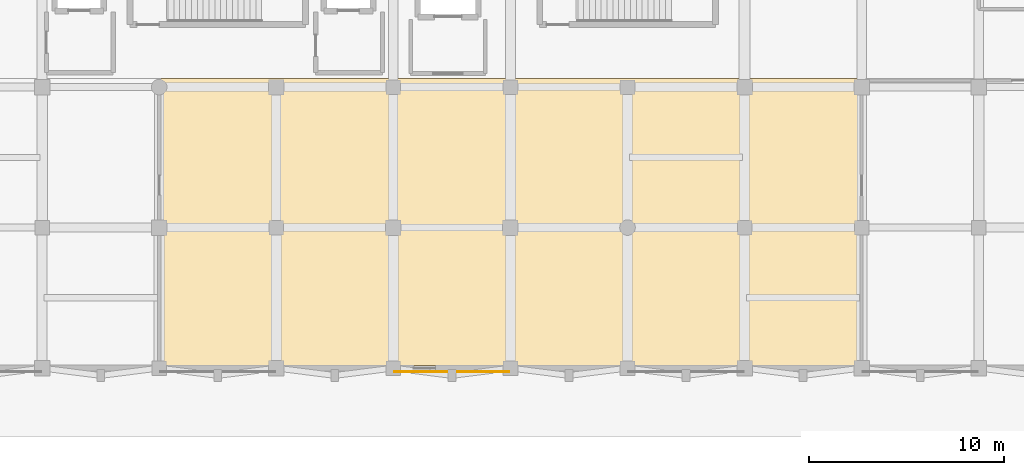
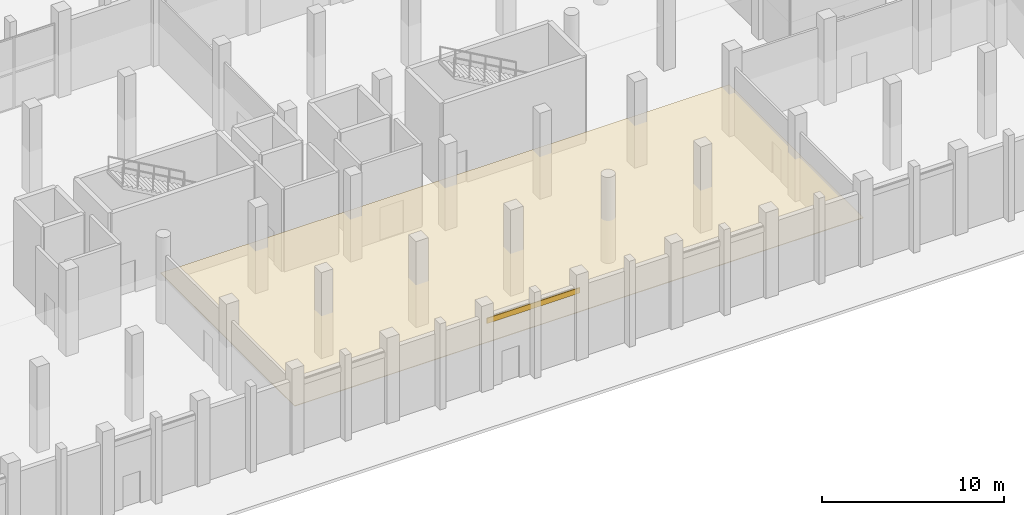
# One storey, part 89 of 103: 2 coverings.
"""IFC4 building model written with IfcOpenShell, lengths in metres."""

from ifc_helpers import new_model, si_unit, direction, frame, origin, origin_2d, place, context, subcontext, project, spatial, polyline, rectangle, outline, extrude, material, layer, layer_set, type_object, element, save


model = new_model("IFC4")

# Units and contexts
model_context = context("Model", 3, precision=1e-05, world=origin(), true_north=direction((0.0, 1.0)))
body_context = subcontext(model_context, "Body", "Model", "MODEL_VIEW")
ifc_project = project(units=[si_unit("LENGTHUNIT", "METRE"), si_unit("AREAUNIT", "SQUARE_METRE"), si_unit("VOLUMEUNIT", "CUBIC_METRE"), si_unit("PLANEANGLEUNIT", "RADIAN"), si_unit("MASSUNIT", "GRAM", prefix="KILO")], contexts=[model_context])

# Site, building, storey
site_placement = place(None, origin())
site = spatial("IfcSite", under=ifc_project, at=site_placement, CompositionType="ELEMENT")
building_placement = place(site_placement, origin())
building = spatial("IfcBuilding", under=site, at=building_placement, Name="Dunvalen Ferry Terminal", CompositionType="ELEMENT")
storey_placement = place(building_placement, origin())
storey = spatial("IfcBuildingStorey", under=building, at=storey_placement, Name="L00", CompositionType="ELEMENT", Elevation=0.0)

# Coverings
ifc_material_1 = material(Name="Anodised marine aluminium fascia cladding", Category="aluminium")
ifc_layer_1 = layer(ifc_material_1, 0.050048828125, Name="Anodised marine aluminium fascia cladding")
ifc_layer_set_1 = layer_set([ifc_layer_1], Name="Anodised marine aluminium fascia cladding")
covering_type_1 = type_object("IfcCoveringType", Name="ENV-COV-CLD01", PredefinedType="CLADDING", material=ifc_layer_set_1)
covering_1_placement = place(storey_placement, frame((57.0, -0.18408203125, 4.35986328125), z_axis=(0.0, 0.0, 1.0), x_axis=(1.0, 0.0, 0.0)))
element("IfcCovering", 1, at=covering_1_placement, inside=storey, type_object=covering_type_1, Name="L00 Streamline Speed-Line Fascia Band 005", PredefinedType="CLADDING", context=body_context, shape_type="SweptSolid", body=[
    extrude(rectangle(XDim=5.89990234375, YDim=0.050048828125, at=origin_2d()), origin(), (0.0, 0.0, 1.0), 0.360107421875),
])
ifc_material_2 = material(Name="Perforated marine aluminium acoustic baffle ceiling", Category="aluminium")
ifc_layer_2 = layer(ifc_material_2, 0.0400390625, Name="Perforated marine aluminium acoustic baffle ceiling")
ifc_layer_set_2 = layer_set([ifc_layer_2], Name="Perforated marine aluminium acoustic baffle ceiling")
covering_type_2 = type_object("IfcCoveringType", Name="INT-COV-CLG01", PredefinedType="CEILING", material=ifc_layer_set_2)
covering_2_placement = place(storey_placement, frame((0.0, 0.0, 2.81005859375)))
element("IfcCovering", 2, at=covering_2_placement, inside=storey, type_object=covering_type_2, Name="L00 Shipping Line Operations and Ferry Dispatch Suite Acoustic Suspended Ceiling", PredefinedType="CEILING", context=body_context, shape_type="SweptSolid", body=[
    extrude(outline(polyline([(42.070068359375, 0.1298828125), (78.090087890625, 0.1298828125), (78.090087890625, 14.830078125), (42.070068359375, 14.830078125), (42.070068359375, 0.1298828125)])), origin(), (0.0, 0.0, 1.0), 0.0400390625),
])

save(model, "model.ifc")
